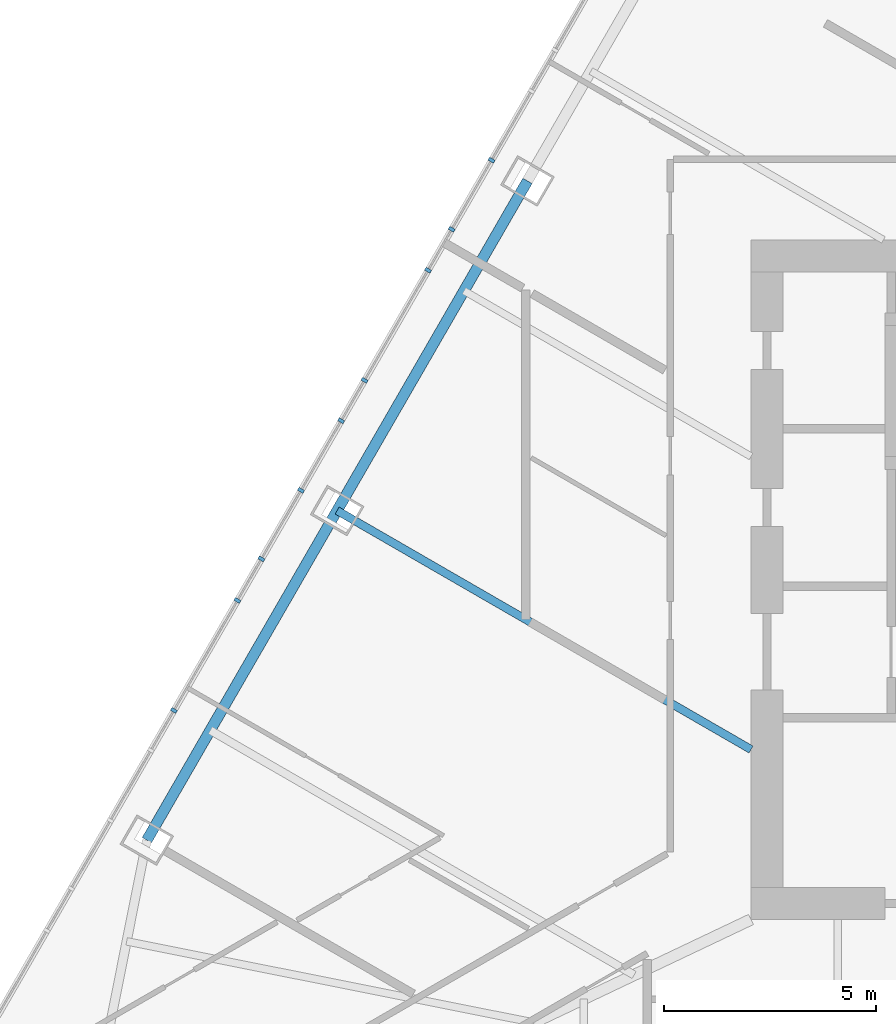
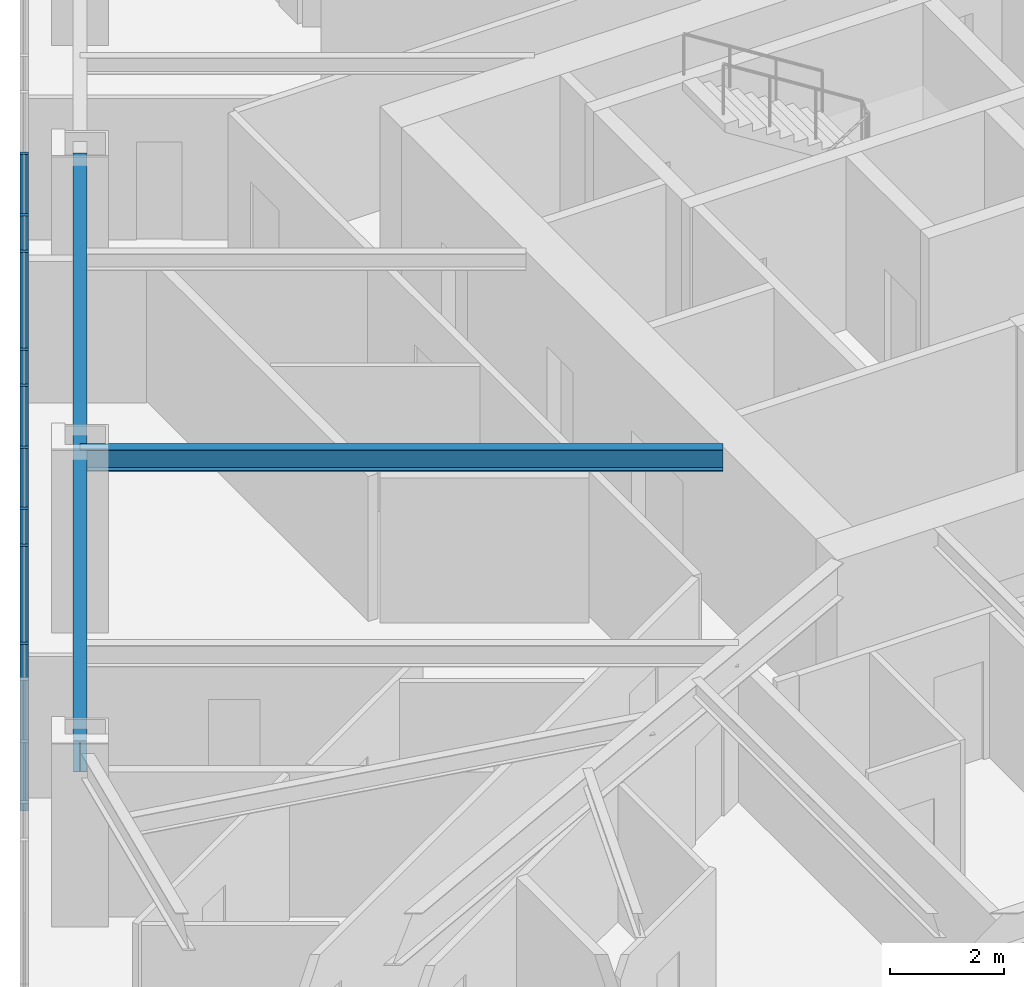
# One storey, part 4 of 26: 9 members, 2 beams, 1 element without a shape of its own.
"""IFC4 building model written with IfcOpenShell, lengths in metres."""

from ifc_helpers import new_model, si_unit, direction, frame, origin, origin_2d, place, context, subcontext, project, spatial, rectangle, i_section, extrude, material, layer, layer_set, material_profile, profile_set, type_object, element, aggregate, save


model = new_model("IFC4")

# Units and contexts
model_context = context("Model", 3, precision=1e-05, world=origin(), true_north=direction((0.0, 1.0)))
body_context = subcontext(model_context, "Body", "Model", "MODEL_VIEW")
ifc_project = project(units=[si_unit("LENGTHUNIT", "METRE"), si_unit("AREAUNIT", "SQUARE_METRE"), si_unit("VOLUMEUNIT", "CUBIC_METRE"), si_unit("PLANEANGLEUNIT", "RADIAN"), si_unit("MASSUNIT", "GRAM", prefix="KILO")], contexts=[model_context])

# Site, building, storey
site_placement = place(None, origin())
site = spatial("IfcSite", under=ifc_project, at=site_placement, CompositionType="ELEMENT")
building_placement = place(site_placement, origin())
building = spatial("IfcBuilding", under=site, at=building_placement, Name="Firuza Gate Tower and Library", CompositionType="ELEMENT")
storey_placement = place(building_placement, frame((0.0, 0.0, 175.300048828125)))
storey = spatial("IfcBuildingStorey", under=building, at=storey_placement, Name="L40", CompositionType="ELEMENT", Elevation=175.300048828125)

# Curtain wall, members
ifc_material_1 = material(Name="Aluminium 6063-T6", Category="aluminium")
ifc_layer = layer(ifc_material_1, 0.14990234375)
ifc_layer_set = layer_set([ifc_layer], Name="Unitised curtain wall, hotel")
curtain_wall_type = type_object("IfcCurtainWallType", Name="Unitised curtain wall, hotel", PredefinedType="NOTDEFINED", material=ifc_layer_set)
curtain_wall_placement = place(storey_placement, origin())
curtain_wall = element("IfcCurtainWall", 1, at=curtain_wall_placement, inside=storey, type_object=curtain_wall_type, Name="CW2 L40 W face", PredefinedType="NOTDEFINED")
ifc_material_2 = material(Name="Aluminium 6063-T6", Category="aluminium")
ifc_material_profile_1 = material_profile(ifc_material_2, rectangle(XDim=0.14990234375, YDim=0.080078125, at=origin_2d()))
ifc_profile_set_1 = profile_set([ifc_material_profile_1], Name="Aluminium 6063-T6")
member_type = type_object("IfcMemberType", Name="Curtain wall mullion 80x150", PredefinedType="MULLION", material=ifc_profile_set_1)
member_1_placement = place(storey_placement, frame((57.89208984375, 84.877197265625, 0.14990234375), z_axis=(0.0, 0.0, 1.0), x_axis=(0.866025403784, -0.5, 0.0)))
member_1 = element("IfcMember", 2, at=member_1_placement, type_object=member_type, Name="Mullion", PredefinedType="MULLION", context=body_context, shape_type="SweptSolid", body=[
    extrude(rectangle(XDim=0.14990234375, YDim=0.080078125, at=origin_2d()), origin(), (0.0, 0.0, 1.0), 3.550048828125),
])
member_2_placement = place(storey_placement, frame((56.39599609375, 82.285888671875, 0.14990234375), z_axis=(0.0, 0.0, 1.0), x_axis=(0.866025403784, -0.5, 0.0)))
member_2 = element("IfcMember", 3, at=member_2_placement, type_object=member_type, Name="Mullion", PredefinedType="MULLION", context=body_context, shape_type="SweptSolid", body=[
    extrude(rectangle(XDim=0.14990234375, YDim=0.080078125, at=origin_2d()), origin(), (0.0, 0.0, 1.0), 3.550048828125),
])
member_3_placement = place(storey_placement, frame((54.900146484375, 79.69482421875, 0.14990234375), z_axis=(0.0, 0.0, 1.0), x_axis=(0.866025403784, -0.5, 0.0)))
member_3 = element("IfcMember", 4, at=member_3_placement, type_object=member_type, Name="Mullion", PredefinedType="MULLION", context=body_context, shape_type="SweptSolid", body=[
    extrude(rectangle(XDim=0.14990234375, YDim=0.080078125, at=origin_2d()), origin(), (0.0, 0.0, 1.0), 3.550048828125),
])
member_4_placement = place(storey_placement, frame((53.404052734375, 77.103515625, 0.14990234375), z_axis=(0.0, 0.0, 1.0), x_axis=(0.866025403784, -0.5, 0.0)))
member_4 = element("IfcMember", 5, at=member_4_placement, type_object=member_type, Name="Mullion", PredefinedType="MULLION", context=body_context, shape_type="SweptSolid", body=[
    extrude(rectangle(XDim=0.14990234375, YDim=0.080078125, at=origin_2d()), origin(), (0.0, 0.0, 1.0), 3.550048828125),
])
member_5_placement = place(storey_placement, frame((51.907958984375, 74.51220703125, 0.14990234375), z_axis=(0.0, 0.0, 1.0), x_axis=(0.866025403784, -0.5, 0.0)))
member_5 = element("IfcMember", 6, at=member_5_placement, type_object=member_type, Name="Mullion", PredefinedType="MULLION", context=body_context, shape_type="SweptSolid", body=[
    extrude(rectangle(XDim=0.14990234375, YDim=0.080078125, at=origin_2d()), origin(), (0.0, 0.0, 1.0), 3.550048828125),
])
member_6_placement = place(storey_placement, frame((50.411865234375, 71.9208984375, 0.14990234375), z_axis=(0.0, 0.0, 1.0), x_axis=(0.866025403784, -0.5, 0.0)))
member_6 = element("IfcMember", 7, at=member_6_placement, type_object=member_type, Name="Mullion", PredefinedType="MULLION", context=body_context, shape_type="SweptSolid", body=[
    extrude(rectangle(XDim=0.14990234375, YDim=0.080078125, at=origin_2d()), origin(), (0.0, 0.0, 1.0), 3.550048828125),
])
member_7_placement = place(storey_placement, frame((56.953125, 83.250732421875, 0.14990234375), z_axis=(0.0, 0.0, 1.0), x_axis=(0.866025403784, -0.5, 0.0)))
member_7 = element("IfcMember", 8, at=member_7_placement, type_object=member_type, Name="Mullion", PredefinedType="MULLION", context=body_context, shape_type="SweptSolid", body=[
    extrude(rectangle(XDim=0.14990234375, YDim=0.080078125, at=origin_2d()), origin(), (0.0, 0.0, 1.0), 3.550048828125),
])
member_8_placement = place(storey_placement, frame((54.35009765625, 78.742431640625, 0.14990234375), z_axis=(0.0, 0.0, 1.0), x_axis=(0.866025403784, -0.5, 0.0)))
member_8 = element("IfcMember", 9, at=member_8_placement, type_object=member_type, Name="Mullion", PredefinedType="MULLION", context=body_context, shape_type="SweptSolid", body=[
    extrude(rectangle(XDim=0.14990234375, YDim=0.080078125, at=origin_2d()), origin(), (0.0, 0.0, 1.0), 3.550048828125),
])
member_9_placement = place(storey_placement, frame((52.47216796875, 75.489501953125, 0.14990234375), z_axis=(0.0, 0.0, 1.0), x_axis=(0.866025403784, -0.5, 0.0)))
member_9 = element("IfcMember", 10, at=member_9_placement, type_object=member_type, Name="Mullion", PredefinedType="MULLION", context=body_context, shape_type="SweptSolid", body=[
    extrude(rectangle(XDim=0.14990234375, YDim=0.080078125, at=origin_2d()), origin(), (0.0, 0.0, 1.0), 3.550048828125),
])
aggregate(curtain_wall, [member_1, member_2, member_3, member_4, member_5, member_6, member_7, member_8, member_9])

# Beams
ifc_material_3 = material(Name="Steel S355", Category="steel")
ifc_material_profile_2 = material_profile(ifc_material_3, i_section(OverallWidth=0.18994140625, OverallDepth=0.45703125, WebThickness=0.009033203125, FlangeThickness=0.014404296875, at=origin_2d()))
ifc_profile_set_2 = profile_set([ifc_material_profile_2], Name="Steel S355")
beam_type_1 = type_object("IfcBeamType", Name="W460x74 Floor beam", PredefinedType="JOIST", material=ifc_profile_set_2)
beam_1_placement = place(storey_placement, frame((54.255615234375, 76.62841796875, 3.471435546875), z_axis=(0.866023348946, -0.500003559068, 0.0), x_axis=(0.500003559068, 0.866023348946, 0.0)))
element("IfcBeam", 11, at=beam_1_placement, inside=storey, type_object=beam_type_1, Name="Floor beam L40 s84", PredefinedType="JOIST", context=body_context, shape_type="SweptSolid", body=[
    extrude(i_section(OverallWidth=0.18994140625, OverallDepth=0.45703125, WebThickness=0.009033203125, FlangeThickness=0.014404296875, at=origin_2d()), origin(), (0.0, 0.0, 1.0), 11.251953125),
])
ifc_material_4 = material(Name="Steel S355", Category="steel")
ifc_material_profile_3 = material_profile(ifc_material_4, i_section(OverallWidth=0.2529296875, OverallDepth=0.677978515625, WebThickness=0.01171875, FlangeThickness=0.016357421875, at=origin_2d()))
ifc_profile_set_3 = profile_set([ifc_material_profile_3], Name="Steel S355")
beam_type_2 = type_object("IfcBeamType", Name="W690x125 Edge beam", PredefinedType="SPANDREL", material=ifc_profile_set_3)
beam_2_placement = place(storey_placement, frame((58.736572265625, 84.3896484375, 3.36083984375), z_axis=(-0.500000713928, -0.866024991597, 0.0), x_axis=(0.866024991597, -0.500000713928, 0.0)))
element("IfcBeam", 12, at=beam_2_placement, inside=storey, type_object=beam_type_2, Name="Edge beam L40 e82", PredefinedType="SPANDREL", context=body_context, shape_type="SweptSolid", body=[
    extrude(i_section(OverallWidth=0.2529296875, OverallDepth=0.677978515625, WebThickness=0.01171875, FlangeThickness=0.016357421875, at=origin_2d()), origin(), (0.0, 0.0, 1.0), 17.923828125),
])

save(model, "model.ifc")
